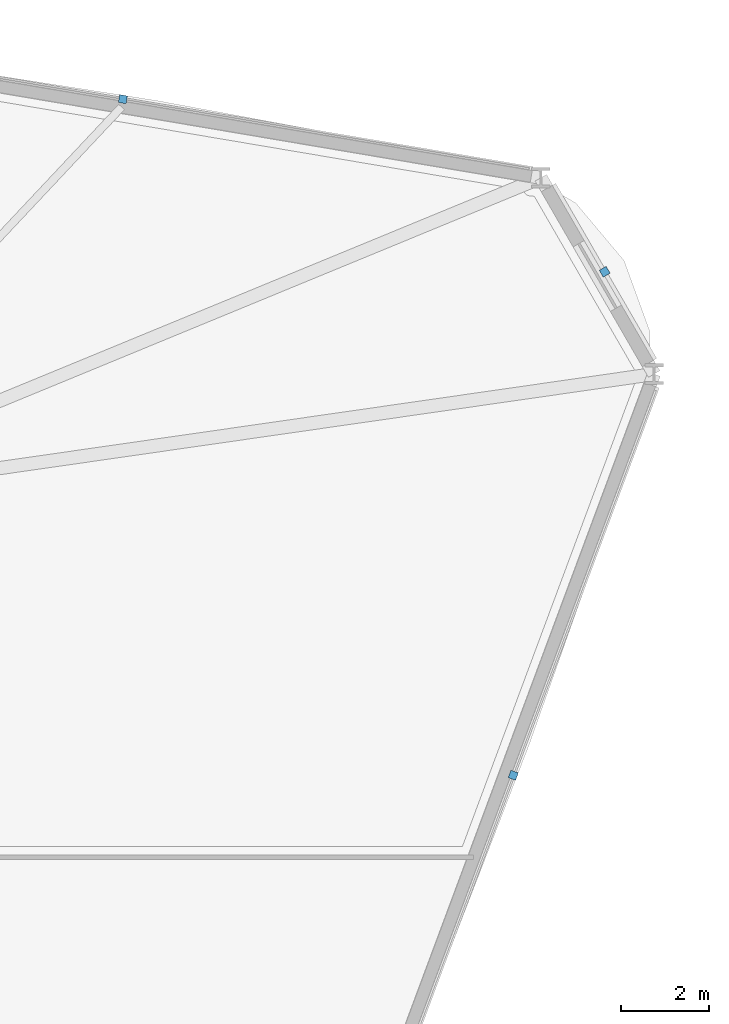
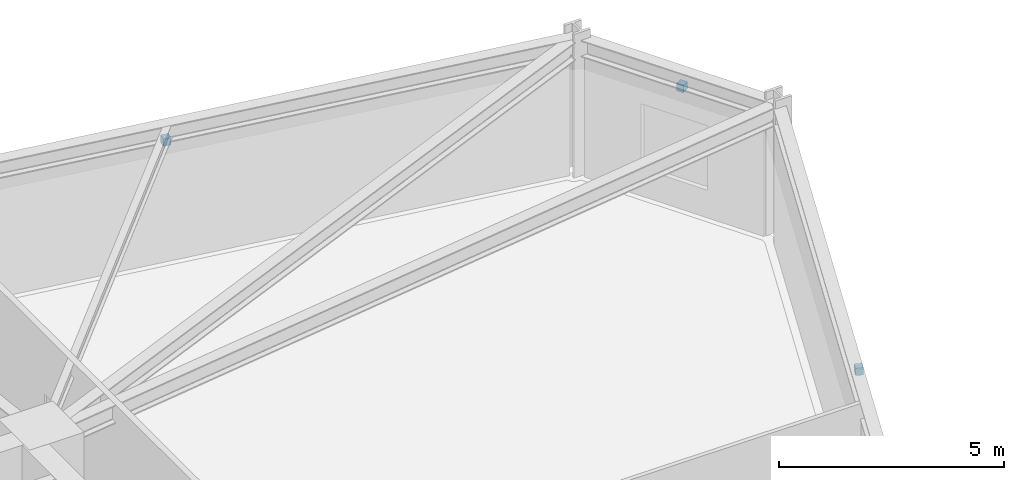
# One storey, part 20 of 23: 3 discrete accessories.
"""IFC4 building model written with IfcOpenShell, lengths in metres."""

from ifc_helpers import new_model, si_unit, derived_unit, direction, frame, origin, origin_2d, place, context, subcontext, project, spatial, rectangle, extrude, source, transform, mapped, material, type_object, element, save


model = new_model("IFC4")

# Units and contexts
model_context = context("Model", 3, precision=1e-05, world=origin(), true_north=direction((0.0, 1.0)))
body_context = subcontext(model_context, "Body", "Model", "MODEL_VIEW")
ifc_project = project(units=[si_unit("LENGTHUNIT", "METRE"), si_unit("AREAUNIT", "SQUARE_METRE"), si_unit("VOLUMEUNIT", "CUBIC_METRE"), si_unit("PLANEANGLEUNIT", "RADIAN"), si_unit("MASSUNIT", "GRAM", prefix="KILO"), derived_unit("THERMALTRANSMITTANCEUNIT", [(si_unit("POWERUNIT", "WATT"), 1), (si_unit("LENGTHUNIT", "METRE"), -2), (si_unit("THERMODYNAMICTEMPERATUREUNIT", "KELVIN"), -1)])], contexts=[model_context])

# Site, building, storey
site_placement = place(None, origin())
site = spatial("IfcSite", under=ifc_project, at=site_placement, CompositionType="ELEMENT")
building_placement = place(site_placement, origin())
building = spatial("IfcBuilding", under=site, at=building_placement, Name="Korsvarv Bourse and Concert Hall", CompositionType="ELEMENT")
storey_placement = place(building_placement, frame((0.0, 0.0, 24.0)))
storey = spatial("IfcBuildingStorey", under=building, at=storey_placement, Name="L05", CompositionType="ELEMENT", Elevation=24.0)

# Discrete accessories
ifc_material = material(Name="Stainless Steel S355 facade outrigger bracket", Category="steel")
discrete_accessory_type = type_object("IfcDiscreteAccessoryType", Name="ACC-BRK-1", PredefinedType="BRACKET", material=ifc_material)
shared_shape = source(origin(), body_context, "Body", "SweptSolid", [
    extrude(rectangle(XDim=0.179931640625, YDim=0.179931640625, at=origin_2d()), origin(), (0.0, 0.0, 1.0), 0.199951171875),
])
for number, where, z_axis, x_axis, name in (
    (1, (64.662109375, 52.548095703125, 2.97021484375), (0.0, 0.0, 1.0), (-0.5, 0.866025403784, 0.0), "L05 terracotta sunshade bracket EW-L05-B01"),
    (2, (53.68212890625, 56.480712890625, 2.97021484375), (0.0, 0.0, 1.0), (-0.98602512869, 0.166596655404, 0.0), "L05 terracotta sunshade bracket EW-L05-B02"),
    (3, (62.57763671875, 41.072998046875, 2.97021484375), (0.0, 0.0, 1.0), (0.348735628579, 0.937221137918, 0.0), "L05 terracotta sunshade bracket EW-L05-B12"),
):
    element("IfcDiscreteAccessory", number, at=place(storey_placement, frame(where, z_axis=z_axis, x_axis=x_axis)), inside=storey, type_object=discrete_accessory_type, Name=name, PredefinedType="BRACKET", context=body_context, shape_type="MappedRepresentation", body=[
        mapped(shared_shape, transform((0.0, 0.0, 0.0), scale=1.0)),
    ])

save(model, "model.ifc")
